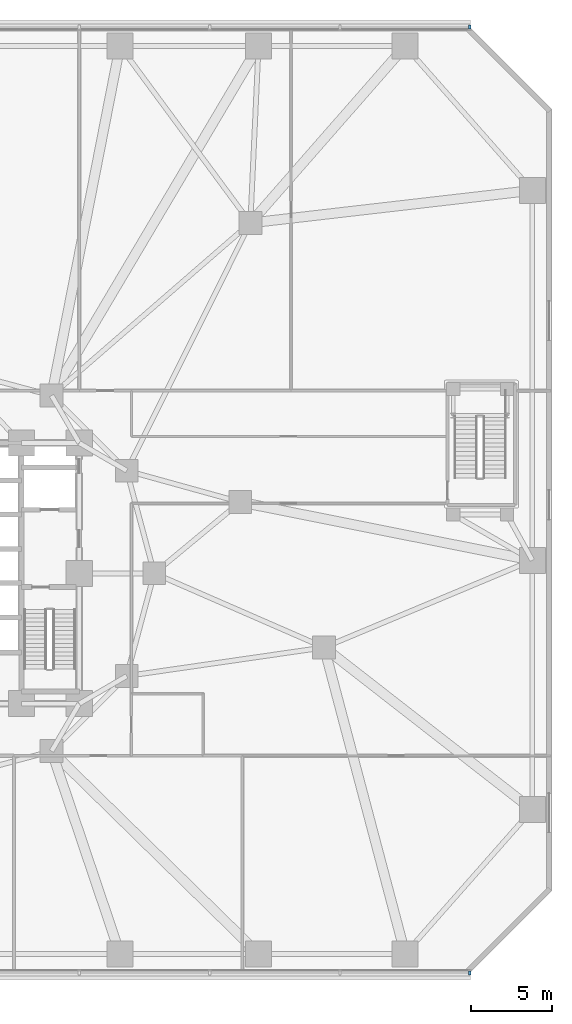
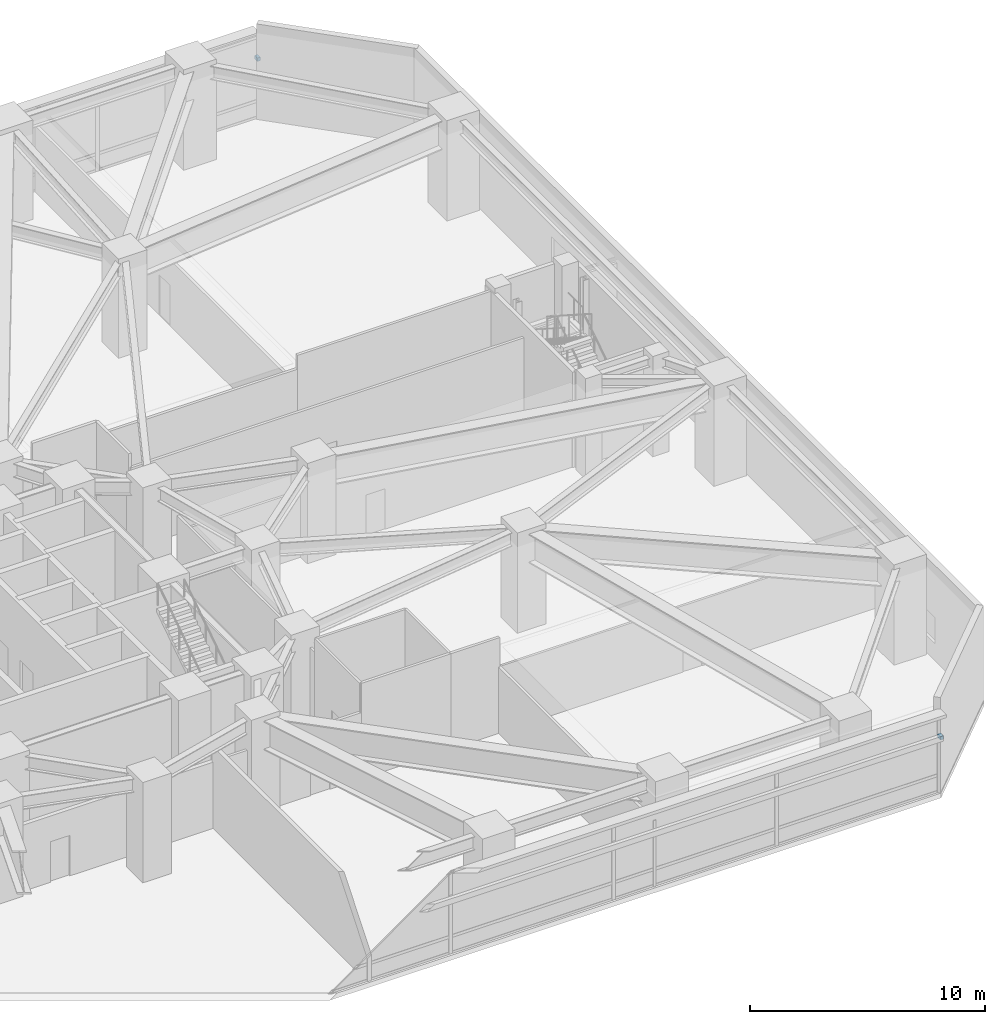
# One storey, part 22 of 28: 2 discrete accessories.
"""IFC4 building model written with IfcOpenShell, lengths in metres."""

import ifcopenshell
import ifcopenshell.guid

model = None  # the IFC model being written
_history = None  # IfcOwnerHistory: only IFC2X3 demands one
_inside = {}  # id of a spatial element -> (the spatial element, [elements in it])
_under = {}  # id of a project, library or spatial element -> (it, [spatial elements below it])
_declared = {}  # id of a project -> (the project, [libraries it declares])
_typed = {}  # id of a type object -> (the type object, [elements of that type])
_made_of = {}  # id of a material, layer set ... -> (it, [elements and type objects made of it])


def new_model(schema):
    """Start an empty IFC model of exactly this schema.

    Asked for "IFC4X3", IfcOpenShell would pick the latest addendum, in which some entities
    have other attributes; the version numbers below select the first issue.
    IFC2X3 requires an IfcOwnerHistory on every rooted entity: one is made here for all.
    """
    global model, _history
    if schema == "IFC4X3":
        model = ifcopenshell.file(schema_version=(4, 3, 0, 0))
    else:
        model = ifcopenshell.file(schema=schema)
    _inside.clear()
    _under.clear()
    _declared.clear()
    _typed.clear()
    _made_of.clear()
    _history = None
    if model.schema == "IFC2X3":
        org = make("IfcOrganization", Name="unknown")
        user = make(
            "IfcPersonAndOrganization",
            ThePerson=make("IfcPerson", FamilyName="unknown"),
            TheOrganization=org,
        )
        app = make(
            "IfcApplication",
            ApplicationDeveloper=org,
            Version="unknown",
            ApplicationFullName="unknown",
            ApplicationIdentifier="unknown",
        )
        _history = make(
            "IfcOwnerHistory",
            OwningUser=user,
            OwningApplication=app,
            ChangeAction="ADDED",
            CreationDate=0,
        )
    return model


def make(cls, **values):
    """One entity of the class cls with the attributes given. An attribute that is None is left unset."""
    return model.create_entity(
        cls, **{name: value for name, value in values.items() if value is not None}
    )


def rooted(cls, **values):
    """An entity with a GlobalId (a new one), such as an element, a storey or a relation."""
    return make(cls, GlobalId=ifcopenshell.guid.new(), OwnerHistory=_history, **values)


def si_unit(unit_type, name, prefix=None):
    """IfcSIUnit, for example si_unit("LENGTHUNIT", "METRE", prefix="MILLI")."""
    return make("IfcSIUnit", UnitType=unit_type, Prefix=prefix, Name=name)


def assignment(units):
    """IfcUnitAssignment: the units of a project."""
    return None if units is None else make("IfcUnitAssignment", Units=units)


def point(xyz):
    """IfcCartesianPoint."""
    return None if xyz is None else make("IfcCartesianPoint", Coordinates=xyz)


def direction(xyz):
    """IfcDirection."""
    return None if xyz is None else make("IfcDirection", DirectionRatios=xyz)


def frame(location, z_axis=None, x_axis=None):
    """IfcAxis2Placement3D, a coordinate frame: its origin and axes. An axis left out is left unset."""
    return make(
        "IfcAxis2Placement3D",
        Location=point(location),
        Axis=direction(z_axis),
        RefDirection=direction(x_axis),
    )


def frame_2d(location, x_axis=None):
    """IfcAxis2Placement2D, a coordinate frame in the plane: its origin and x axis."""
    return make(
        "IfcAxis2Placement2D", Location=point(location), RefDirection=direction(x_axis)
    )


def origin():
    """The frame at (0, 0, 0) with its axes left unset."""
    return frame((0.0, 0.0, 0.0))


def origin_2d():
    """The frame at (0, 0) in the plane with its x axis left unset."""
    return frame_2d((0.0, 0.0))


def place(relative_to, where):
    """IfcLocalPlacement: puts the frame where relative to a parent placement (None: the world)."""
    return make(
        "IfcLocalPlacement", PlacementRelTo=relative_to, RelativePlacement=where
    )


def context(
    kind, dimensions, precision=None, world=None, true_north=None, identifier=None
):
    """IfcGeometricRepresentationContext, for example the 3D "Model" context."""
    return make(
        "IfcGeometricRepresentationContext",
        ContextIdentifier=identifier,
        ContextType=kind,
        CoordinateSpaceDimension=dimensions,
        Precision=precision,
        WorldCoordinateSystem=world,
        TrueNorth=true_north,
    )


def subcontext(parent, identifier, kind, view, scale=None):
    """IfcGeometricRepresentationSubContext, for example "Body" below "Model"."""
    return make(
        "IfcGeometricRepresentationSubContext",
        ContextIdentifier=identifier,
        ContextType=kind,
        ParentContext=parent,
        TargetScale=scale,
        TargetView=view,
    )


def project(units=None, contexts=None):
    """IfcProject with its units and contexts."""
    return rooted(
        "IfcProject",
        Name="project",
        RepresentationContexts=contexts,
        UnitsInContext=assignment(units),
    )


def spatial(cls, under=None, at=None, **own):
    """A site, building, storey or space (cls), placed at a placement, below another one or the project."""
    s = rooted(cls, ObjectPlacement=at, **own)
    if under is not None:
        _under.setdefault(under.id(), (under, []))[1].append(s)
    return s


def profile(cls, at=None, kind="AREA", **sizes):
    """A parametric profile (cls). Its sizes go by their IFC names, for example OverallWidth=200.0."""
    return make(cls, ProfileType=kind, Position=at, **sizes)


def rectangle(**sizes):
    """IfcRectangleProfileDef."""
    return profile("IfcRectangleProfileDef", **sizes)


def extrude(swept, where, along, depth):
    """IfcExtrudedAreaSolid: the profile swept, set in the frame where, extruded along a direction by depth."""
    return make(
        "IfcExtrudedAreaSolid",
        SweptArea=swept,
        Position=where,
        ExtrudedDirection=direction(along),
        Depth=depth,
    )


def shape(context_of_items, identifier, shape_type, items):
    """IfcShapeRepresentation: the items that make up one representation, for example the "Body"."""
    return make(
        "IfcShapeRepresentation",
        ContextOfItems=context_of_items,
        RepresentationIdentifier=identifier,
        RepresentationType=shape_type,
        Items=items,
    )


def material(Name=None, Category=None):
    """IfcMaterial."""
    return make("IfcMaterial", Name=Name, Category=Category)


def made_of(thing, what):
    """Note that an element or type object is made of a material, layer set ...; save() writes the relation."""
    if what is not None:
        _made_of.setdefault(what.id(), (what, []))[1].append(thing)
    return thing


def type_object(cls, material=None, **own):
    """A type object (cls), such as IfcWallType, which elements share."""
    return made_of(rooted(cls, **own), material)


def element(
    cls,
    number,
    at=None,
    inside=None,
    cuts=None,
    type_object=None,
    material=None,
    context=None,
    identifier="Body",
    shape_type=None,
    held_by="IfcProductDefinitionShape",
    body=None,
    shapes=None,
    **own,
):
    """One element of the class cls, such as IfcWall. Its Tag is "e" and its number.

    at: its placement. inside: the storey or other place that contains it. cuts: it is an
    opening in that element (IfcRelVoidsElement). A single representation is given by context,
    identifier, shape_type and body (its items); several are given by shapes. held_by: the class
    of the entity that holds the representations. save() writes the other relations.
    """
    e = rooted(cls, Tag="e%d" % number, ObjectPlacement=at, **own)
    if body is not None:
        shapes = [shape(context, identifier, shape_type, body)]
    if shapes is not None:
        e.Representation = make(held_by, Representations=shapes)
    if inside is not None:
        _inside.setdefault(inside.id(), (inside, []))[1].append(e)
    if cuts is not None:
        rooted(
            "IfcRelVoidsElement", RelatingBuildingElement=cuts, RelatedOpeningElement=e
        )
    if type_object is not None:
        _typed.setdefault(type_object.id(), (type_object, []))[1].append(e)
    return made_of(e, material)


def aggregate(whole, parts):
    """IfcRelAggregates: a whole, such as a stair, and the parts it consists of."""
    return rooted("IfcRelAggregates", RelatingObject=whole, RelatedObjects=parts)


def save(model, path):
    """Write the relations noted so far, then the file.

    IfcRelAggregates (storeys below a building ...), IfcRelContainedInSpatialStructure (elements
    in a storey), IfcRelDefinesByType, IfcRelAssociatesMaterial and IfcRelDeclares: one each for
    every whole, place, type object, material and project.
    """
    for whole, parts in _under.values():
        aggregate(whole, parts)
    for where, things in _inside.values():
        rooted(
            "IfcRelContainedInSpatialStructure",
            RelatedElements=things,
            RelatingStructure=where,
        )
    for kind, things in _typed.values():
        rooted("IfcRelDefinesByType", RelatedObjects=things, RelatingType=kind)
    for what, things in _made_of.values():
        rooted("IfcRelAssociatesMaterial", RelatedObjects=things, RelatingMaterial=what)
    for by, libraries in _declared.values():
        rooted("IfcRelDeclares", RelatingContext=by, RelatedDefinitions=libraries)
    model.write(path)


model = new_model("IFC4")

# Units and contexts
model_context = context("Model", 3, precision=1e-05, world=origin(), true_north=direction((0.0, 1.0)))
body_context = subcontext(model_context, "Body", "Model", "MODEL_VIEW")
ifc_project = project(units=[si_unit("LENGTHUNIT", "METRE"), si_unit("AREAUNIT", "SQUARE_METRE"), si_unit("VOLUMEUNIT", "CUBIC_METRE"), si_unit("PLANEANGLEUNIT", "RADIAN"), si_unit("MASSUNIT", "GRAM", prefix="KILO")], contexts=[model_context])

# Site, building, storey
site_placement = place(None, origin())
site = spatial("IfcSite", under=ifc_project, at=site_placement, CompositionType="ELEMENT")
building_placement = place(site_placement, origin())
building = spatial("IfcBuilding", under=site, at=building_placement, Name="Terralouvre Media Tower", CompositionType="ELEMENT")
storey_placement = place(building_placement, frame((0.0, 0.0, 10.39990234375)))
storey = spatial("IfcBuildingStorey", under=building, at=storey_placement, Name="L02", CompositionType="ELEMENT", Elevation=10.39990234375)

# Discrete accessories
ifc_material = material(Name="Anodised extruded aluminium 6063-T6", Category="aluminium")
discrete_accessory_type = type_object("IfcDiscreteAccessoryType", Name="Mullion Stand-Off Baguette Fixing Bracket BK-01", PredefinedType="BRACKET", material=ifc_material)
for number, where, z_axis, x_axis, name in (
    (1, (31.96240234375, -24.52001953125, 2.87451171875), (0.0, 0.0, 1.0), (1.0, 0.0, 0.0), "CW-L02-F0 Baguette Outrigger Bracket 1.09"),
    (2, (31.96240234375, 33.52001953125, 2.87451171875), (0.0, 0.0, 1.0), (-1.0, 0.0, 0.0), "CW-L02-F4 Baguette Outrigger Bracket 1.01"),
):
    element("IfcDiscreteAccessory", number, at=place(storey_placement, frame(where, z_axis=z_axis, x_axis=x_axis)), inside=storey, type_object=discrete_accessory_type, Name=name, PredefinedType="BRACKET", context=body_context, shape_type="SweptSolid", body=[
        extrude(rectangle(XDim=0.139892578125, YDim=0.239990234375, at=origin_2d()), origin(), (0.0, 0.0, 1.0), 0.179931640625),
    ])

save(model, "model.ifc")
